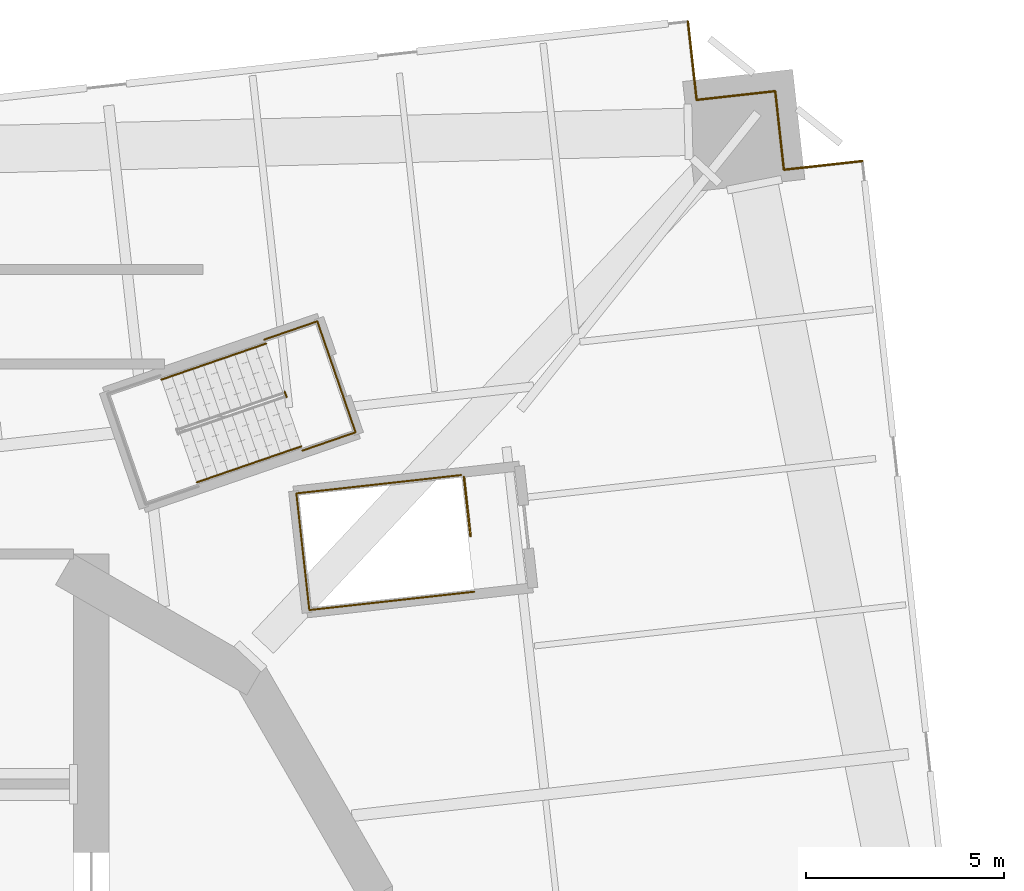
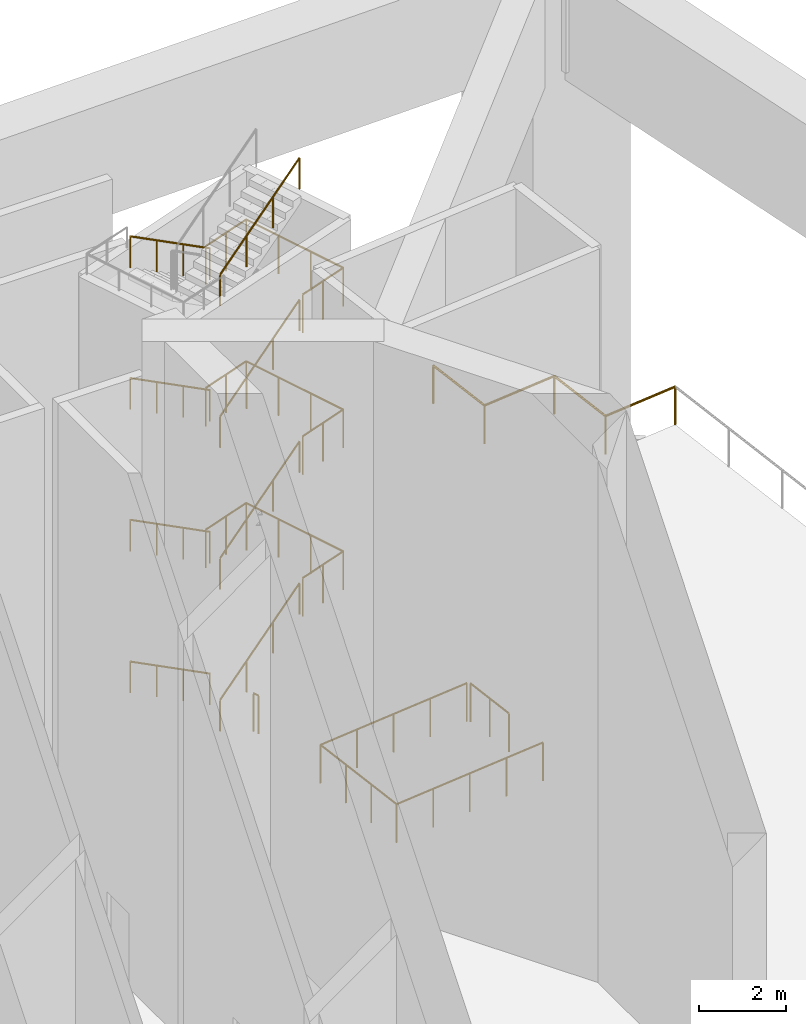
# One storey, part 13 of 13: 18 railings.
"""IFC4 building model written with IfcOpenShell, lengths in metres."""

from ifc_helpers import new_model, si_unit, direction, frame, origin, origin_2d, place, context, subcontext, project, spatial, circle, extrude, material, type_object, element, save


model = new_model("IFC4")

# Units and contexts
model_context = context("Model", 3, precision=1e-05, world=origin(), true_north=direction((0.0, 1.0)))
body_context = subcontext(model_context, "Body", "Model", "MODEL_VIEW")
ifc_project = project(units=[si_unit("LENGTHUNIT", "METRE"), si_unit("AREAUNIT", "SQUARE_METRE"), si_unit("VOLUMEUNIT", "CUBIC_METRE"), si_unit("PLANEANGLEUNIT", "RADIAN"), si_unit("MASSUNIT", "GRAM", prefix="KILO")], contexts=[model_context])

# Site, building, storey
site_placement = place(None, origin())
site = spatial("IfcSite", under=ifc_project, at=site_placement, CompositionType="ELEMENT")
building_placement = place(site_placement, origin())
building = spatial("IfcBuilding", under=site, at=building_placement, Name="Cantera Rosa Tower", CompositionType="ELEMENT")
storey_placement = place(building_placement, frame((0.0, 0.0, 84.300048828125)))
storey = spatial("IfcBuildingStorey", under=building, at=storey_placement, Name="L18", CompositionType="ELEMENT", Elevation=84.300048828125)

# Railings
ifc_material_1 = material(Name="Stainless steel and laminated glass", Category="steel")
railing_type_1 = type_object("IfcRailingType", Name="GUARD 1100", PredefinedType="BALUSTRADE", material=ifc_material_1)
railing_1_placement = place(storey_placement, frame((23.96630859375, 21.575439453125, 0.0)))
element("IfcRailing", 1, at=railing_1_placement, inside=storey, type_object=railing_type_1, Name="PORTAL GUARD L18-1", PredefinedType="BALUSTRADE", context=body_context, shape_type="SweptSolid", body=[
    extrude(circle(Radius=0.030029296875, at=origin_2d()), frame((0.0, 0.0, 1.070068359375), z_axis=(-0.993892663362, -0.110351138256, 0.0), x_axis=(0.110351138256, -0.993892663362, 0.0)), (0.0, 0.0, 1.0), 2.0),
    extrude(circle(Radius=0.02490234375, at=origin_2d()), origin(), (0.0, 0.0, 1.0), 1.0400390625),
    extrude(circle(Radius=0.02490234375, at=origin_2d()), frame((-1.98779296875, -0.220703125, 0.0)), (0.0, 0.0, 1.0), 1.0400390625),
])
railing_2_placement = place(storey_placement, frame((21.978515625, 21.354736328125, 0.0)))
element("IfcRailing", 2, at=railing_2_placement, inside=storey, type_object=railing_type_1, Name="PORTAL GUARD L18-2", PredefinedType="BALUSTRADE", context=body_context, shape_type="SweptSolid", body=[
    extrude(circle(Radius=0.030029296875, at=origin_2d()), frame((0.0, 0.0, 1.070068359375), z_axis=(-0.110351138256, 0.993892663362, 0.0), x_axis=(-0.993892663362, -0.110351138256, 0.0)), (0.0, 0.0, 1.0), 2.0),
    extrude(circle(Radius=0.02490234375, at=origin_2d()), origin(), (0.0, 0.0, 1.0), 1.0400390625),
    extrude(circle(Radius=0.02490234375, at=origin_2d()), frame((-0.220703125, 1.98779296875, 0.0)), (0.0, 0.0, 1.0), 1.0400390625),
])
railing_3_placement = place(storey_placement, frame((21.7578125, 23.342529296875, 0.0)))
element("IfcRailing", 3, at=railing_3_placement, inside=storey, type_object=railing_type_1, Name="PORTAL GUARD L18-3", PredefinedType="BALUSTRADE", context=body_context, shape_type="SweptSolid", body=[
    extrude(circle(Radius=0.030029296875, at=origin_2d()), frame((0.0, 0.0, 1.070068359375), z_axis=(-0.993906044505, -0.110230552467, 0.0), x_axis=(0.110230552467, -0.993906044505, 0.0)), (0.0, 0.0, 1.0), 2.0),
    extrude(circle(Radius=0.02490234375, at=origin_2d()), origin(), (0.0, 0.0, 1.0), 1.0400390625),
    extrude(circle(Radius=0.02490234375, at=origin_2d()), frame((-1.98779296875, -0.220458984375, 0.0)), (0.0, 0.0, 1.0), 1.0400390625),
])
railing_4_placement = place(storey_placement, frame((19.77001953125, 23.1220703125, 0.0)))
element("IfcRailing", 4, at=railing_4_placement, inside=storey, type_object=railing_type_1, Name="PORTAL GUARD L18-4", PredefinedType="BALUSTRADE", context=body_context, shape_type="SweptSolid", body=[
    extrude(circle(Radius=0.030029296875, at=origin_2d()), frame((0.0, 0.0, 1.070068359375), z_axis=(-0.110351138256, 0.993892663362, 0.0), x_axis=(-0.993892663362, -0.110351138256, 0.0)), (0.0, 0.0, 1.0), 2.0),
    extrude(circle(Radius=0.02490234375, at=origin_2d()), origin(), (0.0, 0.0, 1.0), 1.0400390625),
    extrude(circle(Radius=0.02490234375, at=origin_2d()), frame((-0.220703125, 1.98779296875, 0.0)), (0.0, 0.0, 1.0), 1.0400390625),
])
ifc_material_2 = material(Name="Steel S355J2 (EN 10025-2)", Category="steel")
railing_type_2 = type_object("IfcRailingType", Name="STAIR GUARD 1100", PredefinedType="GUARDRAIL", material=ifc_material_2)
railing_5_placement = place(storey_placement, frame((13.884033203125, 13.576171875, 0.0)))
element("IfcRailing", 5, at=railing_5_placement, inside=storey, type_object=railing_type_2, Name="L18 ST-11 top well guard 1", PredefinedType="GUARDRAIL", context=body_context, shape_type="SweptSolid", body=[
    extrude(circle(Radius=0.02392578125, at=origin_2d()), frame((0.0, 0.0, 1.076171875), z_axis=(0.110199269672, -0.993909513469, 0.0), x_axis=(0.993909513469, 0.110199269672, 0.0)), (0.0, 0.0, 1.0), 1.499755859375),
    extrude(circle(Radius=0.02099609375, at=origin_2d()), origin(), (0.0, 0.0, 1.0), 1.052001953125),
    extrude(circle(Radius=0.02099609375, at=origin_2d()), frame((0.08251953125, -0.745361328125, 0.0)), (0.0, 0.0, 1.0), 1.052001953125),
    extrude(circle(Radius=0.02099609375, at=origin_2d()), frame((0.165283203125, -1.49072265625, 0.0)), (0.0, 0.0, 1.0), 1.052001953125),
])
railing_6_placement = place(storey_placement, frame((13.815673828125, 13.629150390625, 0.0)))
element("IfcRailing", 6, at=railing_6_placement, inside=storey, type_object=railing_type_2, Name="L18 ST-11 top well guard 2", PredefinedType="GUARDRAIL", context=body_context, shape_type="SweptSolid", body=[
    extrude(circle(Radius=0.02392578125, at=origin_2d()), frame((0.0, 0.0, 1.076171875), z_axis=(-0.9938957856, -0.110323013767, 0.0), x_axis=(0.110323013767, -0.9938957856, 0.0)), (0.0, 0.0, 1.0), 4.197998046875),
    extrude(circle(Radius=0.02392578125, at=origin_2d()), frame((-4.17236328125, -0.463134765625, 1.076171875), z_axis=(0.110314237986, -0.993896759678, 0.0), x_axis=(0.993896759678, 0.110314237986, 0.0)), (0.0, 0.0, 1.0), 2.969970703125),
    extrude(circle(Radius=0.02392578125, at=origin_2d()), frame((-3.8447265625, -3.4150390625, 1.076171875), z_axis=(0.9938957856, 0.110323013767, 0.0), x_axis=(-0.110323013767, 0.9938957856, 0.0)), (0.0, 0.0, 1.0), 4.197998046875),
    extrude(circle(Radius=0.02099609375, at=origin_2d()), origin(), (0.0, 0.0, 1.0), 1.052001953125),
    extrude(circle(Radius=0.02099609375, at=origin_2d()), frame((-1.04296875, -0.11572265625, 0.0)), (0.0, 0.0, 1.0), 1.052001953125),
    extrude(circle(Radius=0.02099609375, at=origin_2d()), frame((-2.086181640625, -0.2314453125, 0.0)), (0.0, 0.0, 1.0), 1.052001953125),
    extrude(circle(Radius=0.02099609375, at=origin_2d()), frame((-3.12939453125, -0.347412109375, 0.0)), (0.0, 0.0, 1.0), 1.052001953125),
    extrude(circle(Radius=0.02099609375, at=origin_2d()), frame((-4.17236328125, -0.463134765625, 0.0)), (0.0, 0.0, 1.0), 1.052001953125),
    extrude(circle(Radius=0.02099609375, at=origin_2d()), frame((-4.063232421875, -1.447021484375, 0.0)), (0.0, 0.0, 1.0), 1.052001953125),
    extrude(circle(Radius=0.02099609375, at=origin_2d()), frame((-3.953857421875, -2.43115234375, 0.0)), (0.0, 0.0, 1.0), 1.052001953125),
    extrude(circle(Radius=0.02099609375, at=origin_2d()), frame((-3.8447265625, -3.4150390625, 0.0)), (0.0, 0.0, 1.0), 1.052001953125),
    extrude(circle(Radius=0.02099609375, at=origin_2d()), frame((-2.8017578125, -3.29931640625, 0.0)), (0.0, 0.0, 1.0), 1.052001953125),
    extrude(circle(Radius=0.02099609375, at=origin_2d()), frame((-1.758544921875, -3.18359375, 0.0)), (0.0, 0.0, 1.0), 1.052001953125),
    extrude(circle(Radius=0.02099609375, at=origin_2d()), frame((-0.71533203125, -3.067626953125, 0.0)), (0.0, 0.0, 1.0), 1.052001953125),
    extrude(circle(Radius=0.02099609375, at=origin_2d()), frame((0.32763671875, -2.951904296875, 0.0)), (0.0, 0.0, 1.0), 1.052001953125),
])
railing_7_placement = place(storey_placement, frame((9.3466796875, 15.742919921875, 0.0)))
element("IfcRailing", 7, at=railing_7_placement, inside=storey, type_object=railing_type_2, Name="L18 ST-21 stair guard 9", PredefinedType="GUARDRAIL", context=body_context, shape_type="SweptSolid", body=[
    extrude(circle(Radius=0.02392578125, at=origin_2d()), frame((0.0, 0.0, 1.076171875), z_axis=(0.325489086777, -0.945545797087, 0.0), x_axis=(0.945545797087, 0.325489086777, 0.0)), (0.0, 0.0, 1.0), 0.14990234375),
    extrude(circle(Radius=0.02099609375, at=origin_2d()), origin(), (0.0, 0.0, 1.0), 1.052001953125),
    extrude(circle(Radius=0.02099609375, at=origin_2d()), frame((0.048828125, -0.141845703125, 0.0)), (0.0, 0.0, 1.0), 1.052001953125),
])
for number, where, name in (
    (8, (8.828857421875, 17.055908203125, 4.0), "L18 ST-21 stair guard 11"),
    (9, (8.828857421875, 17.055908203125, 8.0), "L18 ST-21 stair guard 13"),
    (10, (8.828857421875, 17.055908203125, 12.0), "L18 ST-21 stair guard 15"),
):
    element("IfcRailing", number, at=place(storey_placement, frame(where)), inside=storey, type_object=railing_type_2, Name=name, PredefinedType="GUARDRAIL", context=body_context, shape_type="SweptSolid", body=[
        extrude(circle(Radius=0.02392578125, at=origin_2d()), frame((0.0, 0.0, 1.076171875), z_axis=(0.945476930587, 0.325689075236, 0.0), x_axis=(-0.325689075236, 0.945476930587, 0.0)), (0.0, 0.0, 1.0), 1.422119140625),
        extrude(circle(Radius=0.02392578125, at=origin_2d()), frame((1.344482421875, 0.463134765625, 1.076171875), z_axis=(0.325582811989, -0.945513528479, 0.0), x_axis=(0.945513528479, 0.325582811989, 0.0)), (0.0, 0.0, 1.0), 2.97021484375),
        extrude(circle(Radius=0.02392578125, at=origin_2d()), frame((2.3115234375, -2.34521484375, 1.076171875), z_axis=(-0.945529788732, -0.325535587332, 0.0), x_axis=(0.325535587332, -0.945529788732, 0.0)), (0.0, 0.0, 1.0), 1.421875),
        extrude(circle(Radius=0.02099609375, at=origin_2d()), origin(), (0.0, 0.0, 1.0), 1.052001953125),
        extrude(circle(Radius=0.02099609375, at=origin_2d()), frame((0.67236328125, 0.2314453125, 0.0)), (0.0, 0.0, 1.0), 1.052001953125),
        extrude(circle(Radius=0.02099609375, at=origin_2d()), frame((1.344482421875, 0.463134765625, 0.0)), (0.0, 0.0, 1.0), 1.052001953125),
        extrude(circle(Radius=0.02099609375, at=origin_2d()), frame((1.666748046875, -0.472900390625, 0.0)), (0.0, 0.0, 1.0), 1.052001953125),
        extrude(circle(Radius=0.02099609375, at=origin_2d()), frame((1.9892578125, -1.4091796875, 0.0)), (0.0, 0.0, 1.0), 1.052001953125),
        extrude(circle(Radius=0.02099609375, at=origin_2d()), frame((2.3115234375, -2.34521484375, 0.0)), (0.0, 0.0, 1.0), 1.052001953125),
        extrude(circle(Radius=0.02099609375, at=origin_2d()), frame((1.63916015625, -2.57666015625, 0.0)), (0.0, 0.0, 1.0), 1.052001953125),
        extrude(circle(Radius=0.02099609375, at=origin_2d()), frame((0.967041015625, -2.80810546875, 0.0)), (0.0, 0.0, 1.0), 1.052001953125),
    ])
ifc_material_3 = material(Name="Steel S355J2 (EN 10025-2)", Category="steel")
railing_type_3 = type_object("IfcRailingType", Name="STAIR HANDRAIL 900", PredefinedType="HANDRAIL", material=ifc_material_3)
railing_8_placement = place(storey_placement, frame((8.8759765625, 16.955810546875, 0.181884765625)))
element("IfcRailing", 11, at=railing_8_placement, inside=storey, type_object=railing_type_3, Name="L18 ST-21 stair handrail 1", PredefinedType="HANDRAIL", context=body_context, shape_type="SweptSolid", body=[
    extrude(circle(Radius=0.02392578125, at=origin_2d()), frame((0.0, 0.0, 0.8759765625), z_axis=(-0.793006869154, -0.273062306291, 0.544588911342), x_axis=(0.325576835135, -0.945515586558, 0.0)), (0.0, 0.0, 1.0), 3.338623046875),
    extrude(circle(Radius=0.02099609375, at=origin_2d()), origin(), (0.0, 0.0, 1.0), 0.851806640625),
    extrude(circle(Radius=0.02099609375, at=origin_2d()), frame((-0.882568359375, -0.303955078125, 0.60595703125)), (0.0, 0.0, 1.0), 0.851806640625),
    extrude(circle(Radius=0.02099609375, at=origin_2d()), frame((-1.764892578125, -0.607666015625, 1.212158203125)), (0.0, 0.0, 1.0), 0.851806640625),
    extrude(circle(Radius=0.02099609375, at=origin_2d()), frame((-2.6474609375, -0.91162109375, 1.818115234375)), (0.0, 0.0, 1.0), 0.851806640625),
])
railing_9_placement = place(storey_placement, frame((7.1240234375, 13.444091796875, 2.181884765625)))
element("IfcRailing", 12, at=railing_9_placement, inside=storey, type_object=railing_type_3, Name="L18 ST-21 stair handrail 2", PredefinedType="HANDRAIL", context=body_context, shape_type="SweptSolid", body=[
    extrude(circle(Radius=0.02392578125, at=origin_2d()), frame((0.0, 0.0, 0.8759765625), z_axis=(0.793006869154, 0.273062306291, 0.544588911342), x_axis=(-0.325576835135, 0.945515586558, 0.0)), (0.0, 0.0, 1.0), 3.338623046875),
    extrude(circle(Radius=0.02099609375, at=origin_2d()), origin(), (0.0, 0.0, 1.0), 0.851806640625),
    extrude(circle(Radius=0.02099609375, at=origin_2d()), frame((0.882568359375, 0.303955078125, 0.60595703125)), (0.0, 0.0, 1.0), 0.851806640625),
    extrude(circle(Radius=0.02099609375, at=origin_2d()), frame((1.764892578125, 0.607666015625, 1.212158203125)), (0.0, 0.0, 1.0), 0.851806640625),
    extrude(circle(Radius=0.02099609375, at=origin_2d()), frame((2.6474609375, 0.91162109375, 1.818115234375)), (0.0, 0.0, 1.0), 0.851806640625),
])
railing_10_placement = place(storey_placement, frame((8.8759765625, 16.955810546875, 4.181884765625)))
element("IfcRailing", 13, at=railing_10_placement, inside=storey, type_object=railing_type_3, Name="L18 ST-21 stair handrail 3", PredefinedType="HANDRAIL", context=body_context, shape_type="SweptSolid", body=[
    extrude(circle(Radius=0.02392578125, at=origin_2d()), frame((0.0, 0.0, 0.8759765625), z_axis=(-0.793006869154, -0.273062306291, 0.544588911342), x_axis=(0.325576835135, -0.945515586558, 0.0)), (0.0, 0.0, 1.0), 3.338623046875),
    extrude(circle(Radius=0.02099609375, at=origin_2d()), origin(), (0.0, 0.0, 1.0), 0.851806640625),
    extrude(circle(Radius=0.02099609375, at=origin_2d()), frame((-0.882568359375, -0.303955078125, 0.60595703125)), (0.0, 0.0, 1.0), 0.851806640625),
    extrude(circle(Radius=0.02099609375, at=origin_2d()), frame((-1.764892578125, -0.607666015625, 1.212158203125)), (0.0, 0.0, 1.0), 0.851806640625),
    extrude(circle(Radius=0.02099609375, at=origin_2d()), frame((-2.6474609375, -0.91162109375, 1.818115234375)), (0.0, 0.0, 1.0), 0.851806640625),
])
railing_11_placement = place(storey_placement, frame((7.1240234375, 13.444091796875, 6.181884765625)))
element("IfcRailing", 14, at=railing_11_placement, inside=storey, type_object=railing_type_3, Name="L18 ST-21 stair handrail 4", PredefinedType="HANDRAIL", context=body_context, shape_type="SweptSolid", body=[
    extrude(circle(Radius=0.02392578125, at=origin_2d()), frame((0.0, 0.0, 0.8759765625), z_axis=(0.793006869154, 0.273062306291, 0.544588911342), x_axis=(-0.325576835135, 0.945515586558, 0.0)), (0.0, 0.0, 1.0), 3.338623046875),
    extrude(circle(Radius=0.02099609375, at=origin_2d()), origin(), (0.0, 0.0, 1.0), 0.851806640625),
    extrude(circle(Radius=0.02099609375, at=origin_2d()), frame((0.882568359375, 0.303955078125, 0.60595703125)), (0.0, 0.0, 1.0), 0.851806640625),
    extrude(circle(Radius=0.02099609375, at=origin_2d()), frame((1.764892578125, 0.607666015625, 1.212158203125)), (0.0, 0.0, 1.0), 0.851806640625),
    extrude(circle(Radius=0.02099609375, at=origin_2d()), frame((2.6474609375, 0.91162109375, 1.818115234375)), (0.0, 0.0, 1.0), 0.851806640625),
])
railing_12_placement = place(storey_placement, frame((8.8759765625, 16.955810546875, 8.181884765625)))
element("IfcRailing", 15, at=railing_12_placement, inside=storey, type_object=railing_type_3, Name="L18 ST-21 stair handrail 5", PredefinedType="HANDRAIL", context=body_context, shape_type="SweptSolid", body=[
    extrude(circle(Radius=0.02392578125, at=origin_2d()), frame((0.0, 0.0, 0.8759765625), z_axis=(-0.793006869154, -0.273062306291, 0.544588911342), x_axis=(0.325576835135, -0.945515586558, 0.0)), (0.0, 0.0, 1.0), 3.338623046875),
    extrude(circle(Radius=0.02099609375, at=origin_2d()), origin(), (0.0, 0.0, 1.0), 0.851806640625),
    extrude(circle(Radius=0.02099609375, at=origin_2d()), frame((-0.882568359375, -0.303955078125, 0.60595703125)), (0.0, 0.0, 1.0), 0.851806640625),
    extrude(circle(Radius=0.02099609375, at=origin_2d()), frame((-1.764892578125, -0.607666015625, 1.212158203125)), (0.0, 0.0, 1.0), 0.851806640625),
    extrude(circle(Radius=0.02099609375, at=origin_2d()), frame((-2.6474609375, -0.91162109375, 1.818115234375)), (0.0, 0.0, 1.0), 0.851806640625),
])
railing_13_placement = place(storey_placement, frame((7.1240234375, 13.444091796875, 10.181884765625)))
element("IfcRailing", 16, at=railing_13_placement, inside=storey, type_object=railing_type_3, Name="L18 ST-21 stair handrail 6", PredefinedType="HANDRAIL", context=body_context, shape_type="SweptSolid", body=[
    extrude(circle(Radius=0.02392578125, at=origin_2d()), frame((0.0, 0.0, 0.8759765625), z_axis=(0.793006869154, 0.273062306291, 0.544588911342), x_axis=(-0.325576835135, 0.945515586558, 0.0)), (0.0, 0.0, 1.0), 3.338623046875),
    extrude(circle(Radius=0.02099609375, at=origin_2d()), origin(), (0.0, 0.0, 1.0), 0.851806640625),
    extrude(circle(Radius=0.02099609375, at=origin_2d()), frame((0.882568359375, 0.303955078125, 0.60595703125)), (0.0, 0.0, 1.0), 0.851806640625),
    extrude(circle(Radius=0.02099609375, at=origin_2d()), frame((1.764892578125, 0.607666015625, 1.212158203125)), (0.0, 0.0, 1.0), 0.851806640625),
    extrude(circle(Radius=0.02099609375, at=origin_2d()), frame((2.6474609375, 0.91162109375, 1.818115234375)), (0.0, 0.0, 1.0), 0.851806640625),
])
railing_14_placement = place(storey_placement, frame((8.8759765625, 16.955810546875, 12.181884765625)))
element("IfcRailing", 17, at=railing_14_placement, inside=storey, type_object=railing_type_3, Name="L18 ST-21 stair handrail 7", PredefinedType="HANDRAIL", context=body_context, shape_type="SweptSolid", body=[
    extrude(circle(Radius=0.02392578125, at=origin_2d()), frame((0.0, 0.0, 0.8759765625), z_axis=(-0.793006869154, -0.273062306291, 0.544588911342), x_axis=(0.325576835135, -0.945515586558, 0.0)), (0.0, 0.0, 1.0), 3.338623046875),
    extrude(circle(Radius=0.02099609375, at=origin_2d()), origin(), (0.0, 0.0, 1.0), 0.851806640625),
    extrude(circle(Radius=0.02099609375, at=origin_2d()), frame((-0.882568359375, -0.303955078125, 0.60595703125)), (0.0, 0.0, 1.0), 0.851806640625),
    extrude(circle(Radius=0.02099609375, at=origin_2d()), frame((-1.764892578125, -0.607666015625, 1.212158203125)), (0.0, 0.0, 1.0), 0.851806640625),
    extrude(circle(Radius=0.02099609375, at=origin_2d()), frame((-2.6474609375, -0.91162109375, 1.818115234375)), (0.0, 0.0, 1.0), 0.851806640625),
])
railing_15_placement = place(storey_placement, frame((7.1240234375, 13.444091796875, 14.181884765625)))
element("IfcRailing", 18, at=railing_15_placement, inside=storey, type_object=railing_type_3, Name="L18 ST-21 stair handrail 8", PredefinedType="HANDRAIL", context=body_context, shape_type="SweptSolid", body=[
    extrude(circle(Radius=0.02392578125, at=origin_2d()), frame((0.0, 0.0, 0.8759765625), z_axis=(0.793006869154, 0.273062306291, 0.544588911342), x_axis=(-0.325576835135, 0.945515586558, 0.0)), (0.0, 0.0, 1.0), 3.338623046875),
    extrude(circle(Radius=0.02099609375, at=origin_2d()), origin(), (0.0, 0.0, 1.0), 0.851806640625),
    extrude(circle(Radius=0.02099609375, at=origin_2d()), frame((0.882568359375, 0.303955078125, 0.60595703125)), (0.0, 0.0, 1.0), 0.851806640625),
    extrude(circle(Radius=0.02099609375, at=origin_2d()), frame((1.764892578125, 0.607666015625, 1.212158203125)), (0.0, 0.0, 1.0), 0.851806640625),
    extrude(circle(Radius=0.02099609375, at=origin_2d()), frame((2.6474609375, 0.91162109375, 1.818115234375)), (0.0, 0.0, 1.0), 0.851806640625),
])

save(model, "model.ifc")
